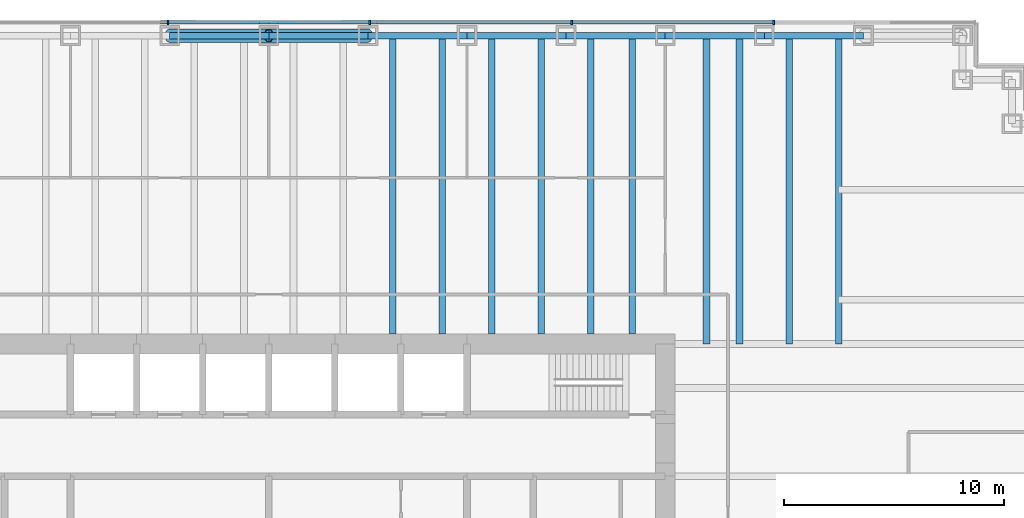
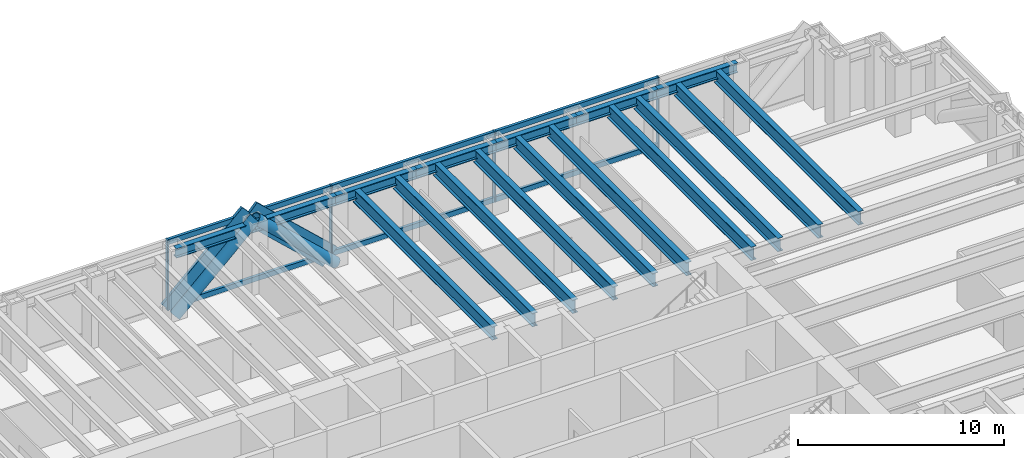
# One storey, part 7 of 17: 17 beams, 14 members, 1 element without a shape of its own.
"""IFC4 building model written with IfcOpenShell, lengths in metres."""

from ifc_helpers import new_model, si_unit, direction, frame, origin, origin_2d, place, context, subcontext, project, spatial, rectangle, hollow_circle, i_section, extrude, material, material_profile, profile_set, type_object, element, aggregate, save


model = new_model("IFC4")

# Units and contexts
model_context = context("Model", 3, precision=1e-05, world=origin(), true_north=direction((0.0, 1.0)))
body_context = subcontext(model_context, "Body", "Model", "MODEL_VIEW")
ifc_project = project(units=[si_unit("LENGTHUNIT", "METRE"), si_unit("AREAUNIT", "SQUARE_METRE"), si_unit("VOLUMEUNIT", "CUBIC_METRE"), si_unit("PLANEANGLEUNIT", "RADIAN"), si_unit("MASSUNIT", "GRAM", prefix="KILO")], contexts=[model_context])

# Site, building, storey
site_placement = place(None, origin())
site = spatial("IfcSite", under=ifc_project, at=site_placement, CompositionType="ELEMENT")
building_placement = place(site_placement, origin())
building = spatial("IfcBuilding", under=site, at=building_placement, Name="Rheinbord Bourse Tower", CompositionType="ELEMENT")
storey_placement = place(building_placement, frame((0.0, 0.0, 121.5)))
storey = spatial("IfcBuildingStorey", under=building, at=storey_placement, Name="L26", CompositionType="ELEMENT", Elevation=121.5)

# Curtain wall, members
ifc_material_1 = material(Name="Dark glass and black aluminium", Category="aluminium")
curtain_wall_type = type_object("IfcCurtainWallType", Name="CW2 DARK GLASS CURTAIN WALL", PredefinedType="USERDEFINED", material=ifc_material_1)
curtain_wall_placement = place(storey_placement, origin())
curtain_wall = element("IfcCurtainWall", 1, at=curtain_wall_placement, inside=storey, type_object=curtain_wall_type, Name="Curtain wall CW2 N L26", ObjectType="UNITISED CURTAIN WALL", PredefinedType="USERDEFINED")
ifc_material_2 = material(Name="Black anodised aluminium", Category="aluminium")
ifc_material_profile_1 = material_profile(ifc_material_2, rectangle(XDim=0.159912109375, YDim=1.2099609375, at=origin_2d()), Name="CW2 DIAGONAL MULLION 1210x160")
ifc_profile_set_1 = profile_set([ifc_material_profile_1], Name="Black anodised aluminium")
member_type_1 = type_object("IfcMemberType", Name="CW2 BLACK DIAGONAL MULLION", PredefinedType="USERDEFINED", material=ifc_profile_set_1)
member_1_placement = place(storey_placement, frame((31.5, 46.60009765625, 0.0), z_axis=(0.73105922506, 0.0, 0.682314010889), x_axis=(0.0, 1.0, 0.0)))
member_1 = element("IfcMember", 2, at=member_1_placement, type_object=member_type_1, Name="CW2 diagonal mullion c", ObjectType="DIAGONAL MULLION", PredefinedType="USERDEFINED", context=body_context, shape_type="SweptSolid", body=[
    extrude(rectangle(XDim=0.159912109375, YDim=1.2099609375, at=origin_2d()), origin(), (0.0, 0.0, 1.0), 6.155517578125),
])
member_2_placement = place(storey_placement, frame((40.5, 46.60009765625, 0.0), z_axis=(-0.73105922506, 0.0, 0.682314010889), x_axis=(0.0, -1.0, 0.0)))
member_2 = element("IfcMember", 3, at=member_2_placement, type_object=member_type_1, Name="CW2 diagonal mullion d", ObjectType="DIAGONAL MULLION", PredefinedType="USERDEFINED", context=body_context, shape_type="SweptSolid", body=[
    extrude(rectangle(XDim=0.159912109375, YDim=1.2099609375, at=origin_2d()), origin(), (0.0, 0.0, 1.0), 6.155517578125),
])
ifc_material_3 = material(Name="Black anodised aluminium", Category="aluminium")
ifc_material_profile_2 = material_profile(ifc_material_3, rectangle(XDim=0.219970703125, YDim=0.070068359375, at=origin_2d()), Name="CW2 MULLION 70x220")
ifc_profile_set_2 = profile_set([ifc_material_profile_2], Name="Black anodised aluminium")
member_type_2 = type_object("IfcMemberType", Name="CW2 BLACK MULLION", PredefinedType="MULLION", material=ifc_profile_set_2)
member_3_placement = place(storey_placement, frame((58.928466796875, 46.60009765625, 0.0), z_axis=(0.0, 0.0, 1.0), x_axis=(0.0, -1.0, 0.0)))
member_3 = element("IfcMember", 4, at=member_3_placement, type_object=member_type_2, Name="CW2 mullion 2", PredefinedType="MULLION", context=body_context, shape_type="SweptSolid", body=[
    extrude(rectangle(XDim=0.219970703125, YDim=0.070068359375, at=origin_2d()), origin(), (0.0, 0.0, 1.0), 4.199951171875),
])
member_4_placement = place(storey_placement, frame((49.757080078125, 46.60009765625, 0.0), z_axis=(0.0, 0.0, 1.0), x_axis=(0.0, -1.0, 0.0)))
member_4 = element("IfcMember", 5, at=member_4_placement, type_object=member_type_2, Name="CW2 mullion 3", PredefinedType="MULLION", context=body_context, shape_type="SweptSolid", body=[
    extrude(rectangle(XDim=0.219970703125, YDim=0.070068359375, at=origin_2d()), origin(), (0.0, 0.0, 1.0), 4.199951171875),
])
member_5_placement = place(storey_placement, frame((40.585693359375, 46.60009765625, 0.0), z_axis=(0.0, 0.0, 1.0), x_axis=(0.0, -1.0, 0.0)))
member_5 = element("IfcMember", 6, at=member_5_placement, type_object=member_type_2, Name="CW2 mullion 4", PredefinedType="MULLION", context=body_context, shape_type="SweptSolid", body=[
    extrude(rectangle(XDim=0.219970703125, YDim=0.070068359375, at=origin_2d()), origin(), (0.0, 0.0, 1.0), 4.199951171875),
])
member_6_placement = place(storey_placement, frame((31.414306640625, 46.60009765625, 0.0), z_axis=(0.0, 0.0, 1.0), x_axis=(0.0, -1.0, 0.0)))
member_6 = element("IfcMember", 7, at=member_6_placement, type_object=member_type_2, Name="CW2 mullion 5", PredefinedType="MULLION", context=body_context, shape_type="SweptSolid", body=[
    extrude(rectangle(XDim=0.219970703125, YDim=0.070068359375, at=origin_2d()), origin(), (0.0, 0.0, 1.0), 4.199951171875),
])
ifc_material_4 = material(Name="Black anodised aluminium", Category="aluminium")
ifc_material_profile_3 = material_profile(ifc_material_4, rectangle(XDim=0.159912109375, YDim=0.300048828125, at=origin_2d()), Name="CW2 TRANSOM 300x160")
ifc_profile_set_3 = profile_set([ifc_material_profile_3], Name="Black anodised aluminium")
member_type_3 = type_object("IfcMemberType", Name="CW2 BLACK TRANSOM", PredefinedType="USERDEFINED", material=ifc_profile_set_3)
member_7_placement = place(storey_placement, frame((58.8935546875, 46.60009765625, 0.14990234375), z_axis=(-1.0, 0.0, 0.0), x_axis=(0.0, -1.0, 0.0)))
member_7 = element("IfcMember", 8, at=member_7_placement, type_object=member_type_3, Name="CW2 transom 2.1", ObjectType="TRANSOM", PredefinedType="USERDEFINED", context=body_context, shape_type="SweptSolid", body=[
    extrude(rectangle(XDim=0.159912109375, YDim=0.300048828125, at=origin_2d()), origin(), (0.0, 0.0, 1.0), 9.101318359375),
])
member_8_placement = place(storey_placement, frame((58.8935546875, 46.60009765625, 4.050048828125), z_axis=(-1.0, 0.0, 0.0), x_axis=(0.0, -1.0, 0.0)))
member_8 = element("IfcMember", 9, at=member_8_placement, type_object=member_type_3, Name="CW2 transom 2.2", ObjectType="TRANSOM", PredefinedType="USERDEFINED", context=body_context, shape_type="SweptSolid", body=[
    extrude(rectangle(XDim=0.159912109375, YDim=0.300048828125, at=origin_2d()), origin(), (0.0, 0.0, 1.0), 9.101318359375),
])
member_9_placement = place(storey_placement, frame((49.72216796875, 46.60009765625, 0.14990234375), z_axis=(-1.0, 0.0, 0.0), x_axis=(0.0, -1.0, 0.0)))
member_9 = element("IfcMember", 10, at=member_9_placement, type_object=member_type_3, Name="CW2 transom 3.1", ObjectType="TRANSOM", PredefinedType="USERDEFINED", context=body_context, shape_type="SweptSolid", body=[
    extrude(rectangle(XDim=0.159912109375, YDim=0.300048828125, at=origin_2d()), origin(), (0.0, 0.0, 1.0), 9.1015625),
])
member_10_placement = place(storey_placement, frame((49.72216796875, 46.60009765625, 4.050048828125), z_axis=(-1.0, 0.0, 0.0), x_axis=(0.0, -1.0, 0.0)))
member_10 = element("IfcMember", 11, at=member_10_placement, type_object=member_type_3, Name="CW2 transom 3.2", ObjectType="TRANSOM", PredefinedType="USERDEFINED", context=body_context, shape_type="SweptSolid", body=[
    extrude(rectangle(XDim=0.159912109375, YDim=0.300048828125, at=origin_2d()), origin(), (0.0, 0.0, 1.0), 9.1015625),
])
member_11_placement = place(storey_placement, frame((40.55078125, 46.60009765625, 0.14990234375), z_axis=(-1.0, 0.0, 0.0), x_axis=(0.0, -1.0, 0.0)))
member_11 = element("IfcMember", 12, at=member_11_placement, type_object=member_type_3, Name="CW2 transom 4.1", ObjectType="TRANSOM", PredefinedType="USERDEFINED", context=body_context, shape_type="SweptSolid", body=[
    extrude(rectangle(XDim=0.159912109375, YDim=0.300048828125, at=origin_2d()), origin(), (0.0, 0.0, 1.0), 9.1015625),
])
member_12_placement = place(storey_placement, frame((40.55078125, 46.60009765625, 4.050048828125), z_axis=(-1.0, 0.0, 0.0), x_axis=(0.0, -1.0, 0.0)))
member_12 = element("IfcMember", 13, at=member_12_placement, type_object=member_type_3, Name="CW2 transom 4.2", ObjectType="TRANSOM", PredefinedType="USERDEFINED", context=body_context, shape_type="SweptSolid", body=[
    extrude(rectangle(XDim=0.159912109375, YDim=0.300048828125, at=origin_2d()), origin(), (0.0, 0.0, 1.0), 9.1015625),
])
aggregate(curtain_wall, [member_3, member_4, member_5, member_6, member_7, member_8, member_9, member_10, member_11, member_12, member_1, member_2])

# Beams
ifc_material_5 = material(Name="Steel S460", Category="steel")
ifc_material_profile_4 = material_profile(ifc_material_5, i_section(OverallWidth=0.300048828125, OverallDepth=0.800048828125, WebThickness=0.017578125, FlangeThickness=0.032958984375, at=origin_2d()), Name="HEB 800")
ifc_profile_set_4 = profile_set([ifc_material_profile_4], Name="Steel S460")
beam_type_1 = type_object("IfcBeamType", Name="FLOOR BEAM HEB 800", PredefinedType="BEAM", material=ifc_profile_set_4)
for number, where, z_axis, x_axis, name in (
    (14, (41.625, 46.0, 3.639892578125), (0.0, -1.0, 0.0), (1.0, 0.0, 0.0), "Floor beam N-40.5a L27"),
    (15, (43.875, 46.0, 3.639892578125), (0.0, -1.0, 0.0), (1.0, 0.0, 0.0), "Floor beam N-40.5b L27"),
    (16, (46.125, 46.0, 3.639892578125), (0.0, -1.0, 0.0), (1.0, 0.0, 0.0), "Floor beam N-45a L27"),
    (17, (48.375, 46.0, 3.639892578125), (0.0, -1.0, 0.0), (1.0, 0.0, 0.0), "Floor beam N-45b L27"),
    (18, (50.625, 46.0, 3.639892578125), (0.0, -1.0, 0.0), (1.0, 0.0, 0.0), "Floor beam N-49.5a L27"),
    (19, (52.5, 46.0, 3.639892578125), (0.0, -1.0, 0.0), (1.0, 0.0, 0.0), "Floor beam N-49.5b L27"),
):
    element("IfcBeam", number, at=place(storey_placement, frame(where, z_axis=z_axis, x_axis=x_axis)), inside=storey, type_object=beam_type_1, Name=name, PredefinedType="BEAM", context=body_context, shape_type="SweptSolid", body=[
        extrude(i_section(OverallWidth=0.300048828125, OverallDepth=0.800048828125, WebThickness=0.017578125, FlangeThickness=0.032958984375, at=origin_2d()), origin(), (0.0, 0.0, 1.0), 13.550048828125),
    ])
for number, where, z_axis, x_axis, name in (
    (20, (55.875, 46.0, 3.639892578125), (0.0, -1.0, 0.0), (1.0, 0.0, 0.0), "Floor beam N-54a L27"),
    (21, (57.375, 46.0, 3.639892578125), (0.0, -1.0, 0.0), (1.0, 0.0, 0.0), "Floor beam N-54b L27"),
    (22, (59.625, 46.0, 3.639892578125), (0.0, -1.0, 0.0), (1.0, 0.0, 0.0), "Floor beam N-58.5a L27"),
    (23, (61.875, 46.0, 3.639892578125), (0.0, -1.0, 0.0), (1.0, 0.0, 0.0), "Floor beam N-58.5b L27"),
):
    element("IfcBeam", number, at=place(storey_placement, frame(where, z_axis=z_axis, x_axis=x_axis)), inside=storey, type_object=beam_type_1, Name=name, PredefinedType="BEAM", context=body_context, shape_type="SweptSolid", body=[
        extrude(i_section(OverallWidth=0.300048828125, OverallDepth=0.800048828125, WebThickness=0.017578125, FlangeThickness=0.032958984375, at=origin_2d()), origin(), (0.0, 0.0, 1.0), 14.0),
    ])

# Members
ifc_material_6 = material(Name="Steel S460", Category="steel")
ifc_material_profile_5 = material_profile(ifc_material_6, hollow_circle(Radius=0.304931640625, WallThickness=0.0400390625, at=origin_2d()), Name="CHS 610x40")
ifc_profile_set_5 = profile_set([ifc_material_profile_5], Name="Steel S460")
member_type_4 = type_object("IfcMemberType", Name="MEGABRACE CHS 610x40", PredefinedType="BRACE", material=ifc_profile_set_5)
for number, where, z_axis, x_axis, name in (
    (24, (31.5, 46.0, 0.0), (0.73105922506, 0.0, 0.682314010889), (0.0, 1.0, 0.0), "Megabrace N face line c L26"),
    (25, (40.5, 46.0, 0.0), (-0.73105922506, 0.0, 0.682314010889), (0.0, -1.0, 0.0), "Megabrace N face line d L26"),
):
    element("IfcMember", number, at=place(storey_placement, frame(where, z_axis=z_axis, x_axis=x_axis)), inside=storey, type_object=member_type_4, Name=name, PredefinedType="BRACE", context=body_context, shape_type="SweptSolid", body=[
        extrude(hollow_circle(Radius=0.304931640625, WallThickness=0.0400390625, at=origin_2d()), origin(), (0.0, 0.0, 1.0), 6.155517578125),
    ])

# Beams
ifc_material_7 = material(Name="Steel S460", Category="steel")
ifc_material_profile_6 = material_profile(ifc_material_7, i_section(OverallWidth=0.305908203125, OverallDepth=0.572021484375, WebThickness=0.02099609375, FlangeThickness=0.0400390625, at=origin_2d()), Name="HEM 550")
ifc_profile_set_6 = profile_set([ifc_material_profile_6], Name="Steel S460")
beam_type_2 = type_object("IfcBeamType", Name="SPANDREL HEM 550", PredefinedType="SPANDREL", material=ifc_profile_set_6)
for number, where, z_axis, x_axis, name in (
    (26, (63.0, 46.0, 3.75390625), (-1.0, 0.0, 0.0), (0.0, -1.0, 0.0), "Spandrel N-63-N-58.5 under L27"),
    (27, (58.5, 46.0, 3.75390625), (-1.0, 0.0, 0.0), (0.0, -1.0, 0.0), "Spandrel N-58.5-N-54 under L27"),
    (28, (54.0, 46.0, 3.75390625), (-1.0, 0.0, 0.0), (0.0, -1.0, 0.0), "Spandrel N-54-N-49.5 under L27"),
    (29, (49.5, 46.0, 3.75390625), (-1.0, 0.0, 0.0), (0.0, -1.0, 0.0), "Spandrel N-49.5-N-45 under L27"),
    (30, (45.0, 46.0, 3.75390625), (-1.0, 0.0, 0.0), (0.0, -1.0, 0.0), "Spandrel N-45-N-40.5 under L27"),
    (31, (40.5, 46.0, 3.75390625), (-1.0, 0.0, 0.0), (0.0, -1.0, 0.0), "Spandrel N-40.5-N-36 under L27"),
    (32, (36.0, 46.0, 3.75390625), (-1.0, 0.0, 0.0), (0.0, -1.0, 0.0), "Spandrel N-36-N-31.5 under L27"),
):
    element("IfcBeam", number, at=place(storey_placement, frame(where, z_axis=z_axis, x_axis=x_axis)), inside=storey, type_object=beam_type_2, Name=name, PredefinedType="SPANDREL", context=body_context, shape_type="SweptSolid", body=[
        extrude(i_section(OverallWidth=0.305908203125, OverallDepth=0.572021484375, WebThickness=0.02099609375, FlangeThickness=0.0400390625, at=origin_2d()), origin(), (0.0, 0.0, 1.0), 4.5),
    ])

save(model, "model.ifc")
